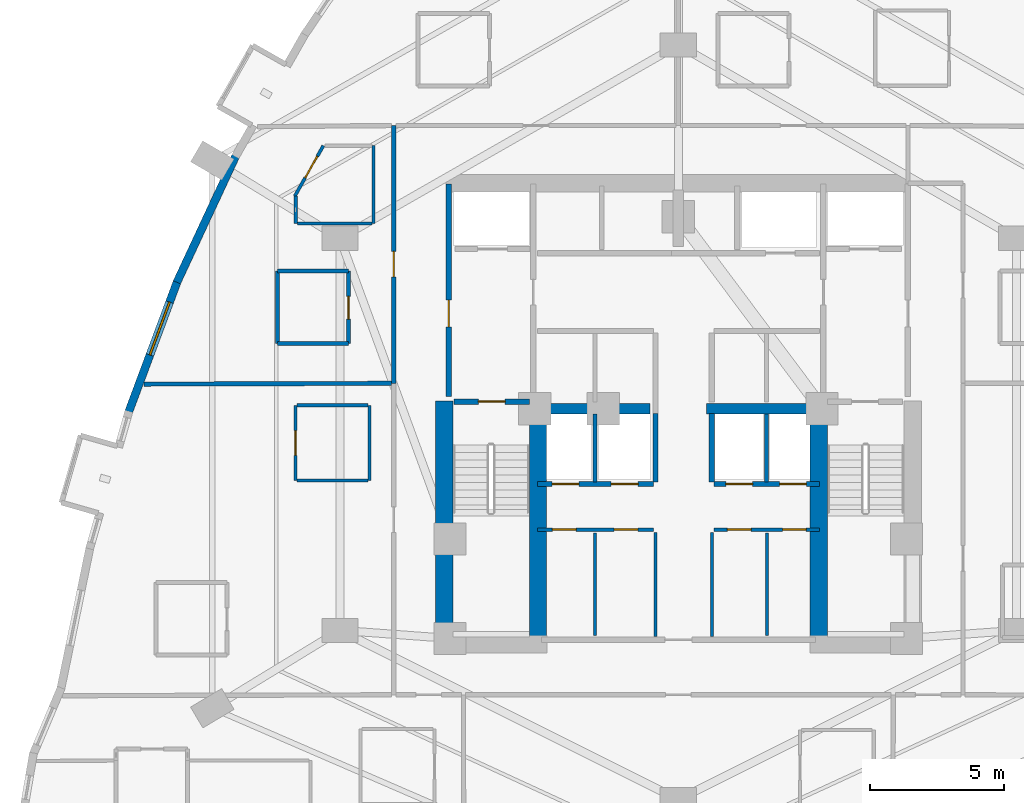
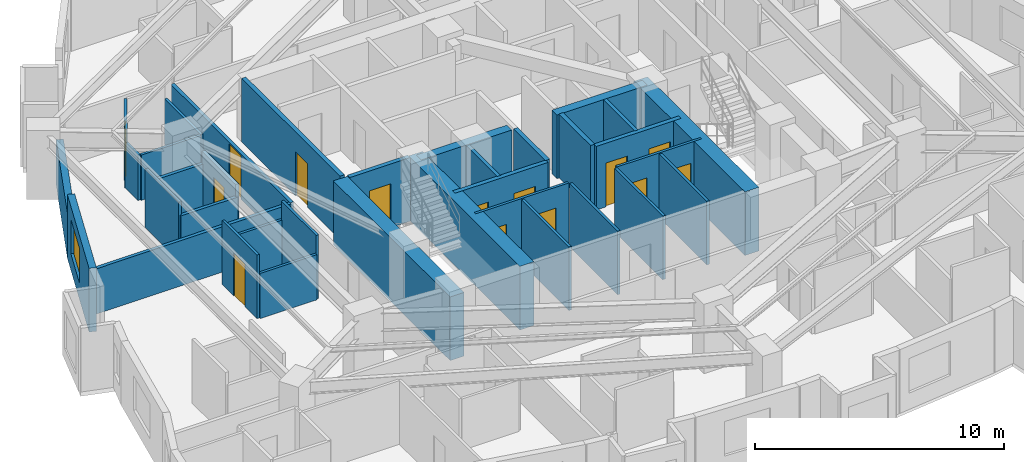
# One storey, part 6 of 11: 35 walls, 14 doors, 1 window, 15 openings.
"""IFC4 building model written with IfcOpenShell, lengths in metres."""

import ifcopenshell
import ifcopenshell.guid

model = None  # the IFC model being written
_history = None  # IfcOwnerHistory: only IFC2X3 demands one
_inside = {}  # id of a spatial element -> (the spatial element, [elements in it])
_under = {}  # id of a project, library or spatial element -> (it, [spatial elements below it])
_declared = {}  # id of a project -> (the project, [libraries it declares])
_typed = {}  # id of a type object -> (the type object, [elements of that type])
_made_of = {}  # id of a material, layer set ... -> (it, [elements and type objects made of it])


def new_model(schema):
    """Start an empty IFC model of exactly this schema.

    Asked for "IFC4X3", IfcOpenShell would pick the latest addendum, in which some entities
    have other attributes; the version numbers below select the first issue.
    IFC2X3 requires an IfcOwnerHistory on every rooted entity: one is made here for all.
    """
    global model, _history
    if schema == "IFC4X3":
        model = ifcopenshell.file(schema_version=(4, 3, 0, 0))
    else:
        model = ifcopenshell.file(schema=schema)
    _inside.clear()
    _under.clear()
    _declared.clear()
    _typed.clear()
    _made_of.clear()
    _history = None
    if model.schema == "IFC2X3":
        org = make("IfcOrganization", Name="unknown")
        user = make(
            "IfcPersonAndOrganization",
            ThePerson=make("IfcPerson", FamilyName="unknown"),
            TheOrganization=org,
        )
        app = make(
            "IfcApplication",
            ApplicationDeveloper=org,
            Version="unknown",
            ApplicationFullName="unknown",
            ApplicationIdentifier="unknown",
        )
        _history = make(
            "IfcOwnerHistory",
            OwningUser=user,
            OwningApplication=app,
            ChangeAction="ADDED",
            CreationDate=0,
        )
    return model


def make(cls, **values):
    """One entity of the class cls with the attributes given. An attribute that is None is left unset."""
    return model.create_entity(
        cls, **{name: value for name, value in values.items() if value is not None}
    )


def rooted(cls, **values):
    """An entity with a GlobalId (a new one), such as an element, a storey or a relation."""
    return make(cls, GlobalId=ifcopenshell.guid.new(), OwnerHistory=_history, **values)


def si_unit(unit_type, name, prefix=None):
    """IfcSIUnit, for example si_unit("LENGTHUNIT", "METRE", prefix="MILLI")."""
    return make("IfcSIUnit", UnitType=unit_type, Prefix=prefix, Name=name)


def assignment(units):
    """IfcUnitAssignment: the units of a project."""
    return None if units is None else make("IfcUnitAssignment", Units=units)


def point(xyz):
    """IfcCartesianPoint."""
    return None if xyz is None else make("IfcCartesianPoint", Coordinates=xyz)


def direction(xyz):
    """IfcDirection."""
    return None if xyz is None else make("IfcDirection", DirectionRatios=xyz)


def frame(location, z_axis=None, x_axis=None):
    """IfcAxis2Placement3D, a coordinate frame: its origin and axes. An axis left out is left unset."""
    return make(
        "IfcAxis2Placement3D",
        Location=point(location),
        Axis=direction(z_axis),
        RefDirection=direction(x_axis),
    )


def frame_2d(location, x_axis=None):
    """IfcAxis2Placement2D, a coordinate frame in the plane: its origin and x axis."""
    return make(
        "IfcAxis2Placement2D", Location=point(location), RefDirection=direction(x_axis)
    )


def origin():
    """The frame at (0, 0, 0) with its axes left unset."""
    return frame((0.0, 0.0, 0.0))


def place(relative_to, where):
    """IfcLocalPlacement: puts the frame where relative to a parent placement (None: the world)."""
    return make(
        "IfcLocalPlacement", PlacementRelTo=relative_to, RelativePlacement=where
    )


def context(
    kind, dimensions, precision=None, world=None, true_north=None, identifier=None
):
    """IfcGeometricRepresentationContext, for example the 3D "Model" context."""
    return make(
        "IfcGeometricRepresentationContext",
        ContextIdentifier=identifier,
        ContextType=kind,
        CoordinateSpaceDimension=dimensions,
        Precision=precision,
        WorldCoordinateSystem=world,
        TrueNorth=true_north,
    )


def subcontext(parent, identifier, kind, view, scale=None):
    """IfcGeometricRepresentationSubContext, for example "Body" below "Model"."""
    return make(
        "IfcGeometricRepresentationSubContext",
        ContextIdentifier=identifier,
        ContextType=kind,
        ParentContext=parent,
        TargetScale=scale,
        TargetView=view,
    )


def project(units=None, contexts=None):
    """IfcProject with its units and contexts."""
    return rooted(
        "IfcProject",
        Name="project",
        RepresentationContexts=contexts,
        UnitsInContext=assignment(units),
    )


def spatial(cls, under=None, at=None, **own):
    """A site, building, storey or space (cls), placed at a placement, below another one or the project."""
    s = rooted(cls, ObjectPlacement=at, **own)
    if under is not None:
        _under.setdefault(under.id(), (under, []))[1].append(s)
    return s


def profile(cls, at=None, kind="AREA", **sizes):
    """A parametric profile (cls). Its sizes go by their IFC names, for example OverallWidth=200.0."""
    return make(cls, ProfileType=kind, Position=at, **sizes)


def rectangle(**sizes):
    """IfcRectangleProfileDef."""
    return profile("IfcRectangleProfileDef", **sizes)


def extrude(swept, where, along, depth):
    """IfcExtrudedAreaSolid: the profile swept, set in the frame where, extruded along a direction by depth."""
    return make(
        "IfcExtrudedAreaSolid",
        SweptArea=swept,
        Position=where,
        ExtrudedDirection=direction(along),
        Depth=depth,
    )


def shape(context_of_items, identifier, shape_type, items):
    """IfcShapeRepresentation: the items that make up one representation, for example the "Body"."""
    return make(
        "IfcShapeRepresentation",
        ContextOfItems=context_of_items,
        RepresentationIdentifier=identifier,
        RepresentationType=shape_type,
        Items=items,
    )


def material(Name=None, Category=None):
    """IfcMaterial."""
    return make("IfcMaterial", Name=Name, Category=Category)


def layer(
    of_material, thickness, ventilated=None, Name=None, Category=None, Priority=None
):
    """IfcMaterialLayer: one layer of a wall or slab, of a material (None: an air gap)."""
    return make(
        "IfcMaterialLayer",
        Material=of_material,
        LayerThickness=thickness,
        IsVentilated=ventilated,
        Name=Name,
        Category=Category,
        Priority=Priority,
    )


def layer_set(layers, Name=None):
    """IfcMaterialLayerSet."""
    return make("IfcMaterialLayerSet", MaterialLayers=layers, LayerSetName=Name)


def made_of(thing, what):
    """Note that an element or type object is made of a material, layer set ...; save() writes the relation."""
    if what is not None:
        _made_of.setdefault(what.id(), (what, []))[1].append(thing)
    return thing


def type_object(cls, material=None, **own):
    """A type object (cls), such as IfcWallType, which elements share."""
    return made_of(rooted(cls, **own), material)


def element(
    cls,
    number,
    at=None,
    inside=None,
    cuts=None,
    type_object=None,
    material=None,
    context=None,
    identifier="Body",
    shape_type=None,
    held_by="IfcProductDefinitionShape",
    body=None,
    shapes=None,
    **own,
):
    """One element of the class cls, such as IfcWall. Its Tag is "e" and its number.

    at: its placement. inside: the storey or other place that contains it. cuts: it is an
    opening in that element (IfcRelVoidsElement). A single representation is given by context,
    identifier, shape_type and body (its items); several are given by shapes. held_by: the class
    of the entity that holds the representations. save() writes the other relations.
    """
    e = rooted(cls, Tag="e%d" % number, ObjectPlacement=at, **own)
    if body is not None:
        shapes = [shape(context, identifier, shape_type, body)]
    if shapes is not None:
        e.Representation = make(held_by, Representations=shapes)
    if inside is not None:
        _inside.setdefault(inside.id(), (inside, []))[1].append(e)
    if cuts is not None:
        rooted(
            "IfcRelVoidsElement", RelatingBuildingElement=cuts, RelatedOpeningElement=e
        )
    if type_object is not None:
        _typed.setdefault(type_object.id(), (type_object, []))[1].append(e)
    return made_of(e, material)


def fill(opening, filler):
    """IfcRelFillsElement: the door or window that sits in an opening."""
    return rooted(
        "IfcRelFillsElement",
        RelatingOpeningElement=opening,
        RelatedBuildingElement=filler,
    )


def aggregate(whole, parts):
    """IfcRelAggregates: a whole, such as a stair, and the parts it consists of."""
    return rooted("IfcRelAggregates", RelatingObject=whole, RelatedObjects=parts)


def save(model, path):
    """Write the relations noted so far, then the file.

    IfcRelAggregates (storeys below a building ...), IfcRelContainedInSpatialStructure (elements
    in a storey), IfcRelDefinesByType, IfcRelAssociatesMaterial and IfcRelDeclares: one each for
    every whole, place, type object, material and project.
    """
    for whole, parts in _under.values():
        aggregate(whole, parts)
    for where, things in _inside.values():
        rooted(
            "IfcRelContainedInSpatialStructure",
            RelatedElements=things,
            RelatingStructure=where,
        )
    for kind, things in _typed.values():
        rooted("IfcRelDefinesByType", RelatedObjects=things, RelatingType=kind)
    for what, things in _made_of.values():
        rooted("IfcRelAssociatesMaterial", RelatedObjects=things, RelatingMaterial=what)
    for by, libraries in _declared.values():
        rooted("IfcRelDeclares", RelatingContext=by, RelatedDefinitions=libraries)
    model.write(path)


model = new_model("IFC4")

# Units and contexts
model_context = context("Model", 3, precision=1e-05, world=origin(), true_north=direction((0.0, 1.0)))
body_context = subcontext(model_context, "Body", "Model", "MODEL_VIEW")
ifc_project = project(units=[si_unit("LENGTHUNIT", "METRE"), si_unit("AREAUNIT", "SQUARE_METRE"), si_unit("VOLUMEUNIT", "CUBIC_METRE"), si_unit("PLANEANGLEUNIT", "RADIAN"), si_unit("MASSUNIT", "GRAM", prefix="KILO")], contexts=[model_context])

# Site, building, storey
site_placement = place(None, origin())
site = spatial("IfcSite", under=ifc_project, at=site_placement, CompositionType="ELEMENT")
building_placement = place(site_placement, origin())
building = spatial("IfcBuilding", under=site, at=building_placement, Name="Miruveldt Soraemaru", CompositionType="ELEMENT")
storey_placement = place(building_placement, frame((0.0, 0.0, 66.60009765625)))
storey = spatial("IfcBuildingStorey", under=building, at=storey_placement, Name="L18", CompositionType="ELEMENT", Elevation=66.60009765625)

# Walls
ifc_material_1 = material(Name="Concrete C70/85 (70 MPa)", Category="concrete")
ifc_layer_1 = layer(ifc_material_1, 0.5, Name="Concrete C70/85 (70 MPa)", Category="concrete")
ifc_layer_set_1 = layer_set([ifc_layer_1], Name="Concrete C70/85 (70 MPa)")
wall_type_1 = type_object("IfcWallType", Name="WALL-BW-500", PredefinedType="SHEAR", material=ifc_layer_set_1)
for number, where, z_axis, x_axis, name in (
    (1, (38.75, 44.050048828125, 0.0), (0.0, 0.0, 1.0), (1.0, 0.0, 0.0), "L18 Core Buttress Shear Wall BW"),
    (2, (45.050048828125, 44.050048828125, 0.0), (0.0, 0.0, 1.0), (1.0, 0.0, 0.0), "L18 Core Buttress Shear Wall BE"),
):
    element("IfcWall", number, at=place(storey_placement, frame(where, z_axis=z_axis, x_axis=x_axis)), inside=storey, type_object=wall_type_1, Name=name, PredefinedType="SHEAR", context=body_context, shape_type="SweptSolid", body=[
        extrude(rectangle(XDim=4.199951171875, YDim=0.39990234375, at=frame_2d((2.10009765625, 0.0))), origin(), (0.0, 0.0, 1.0), 3.125),
    ])
ifc_material_2 = material(Name="Concrete C80/95 (80 MPa)", Category="concrete")
ifc_layer_2 = layer(ifc_material_2, 0.64990234375, Name="Concrete C80/95 (80 MPa)", Category="concrete")
ifc_layer_set_2 = layer_set([ifc_layer_2], Name="Concrete C80/95 (80 MPa)")
wall_type_2 = type_object("IfcWallType", Name="WALL-CW-650", PredefinedType="SHEAR", material=ifc_layer_set_2)
wall_1_placement = place(storey_placement, frame((35.27490234375, 34.949951171875, 0.0), z_axis=(0.0, 0.0, 1.0), x_axis=(0.0, 1.0, 0.0)))
element("IfcWall", 3, at=wall_1_placement, inside=storey, type_object=wall_type_2, Name="L18 Central Core Shear Wall W1", PredefinedType="SHEAR", context=body_context, shape_type="SweptSolid", body=[
    extrude(rectangle(XDim=9.400146484375, YDim=0.64990234375, at=frame_2d((4.7001953125, 0.0))), origin(), (0.0, 0.0, 1.0), 3.125),
])
for number, where, z_axis, x_axis, name in (
    (4, (38.77490234375, 35.39990234375, 0.0), (0.0, 0.0, 1.0), (0.0, 1.0, 0.0), "L18 Central Core Shear Wall SW-INT"),
    (5, (49.22509765625, 35.39990234375, 0.0), (0.0, 0.0, 1.0), (0.0, 1.0, 0.0), "L18 Central Core Shear Wall SE-INT"),
):
    element("IfcWall", number, at=place(storey_placement, frame(where, z_axis=z_axis, x_axis=x_axis)), inside=storey, type_object=wall_type_2, Name=name, PredefinedType="SHEAR", context=body_context, shape_type="SweptSolid", body=[
        extrude(rectangle(XDim=8.9501953125, YDim=0.64990234375, at=frame_2d((4.47509765625, 0.0))), origin(), (0.0, 0.0, 1.0), 3.125),
    ])
ifc_material_3 = material(Name="Precast concrete C45/55 (45 MPa)", Category="concrete")
ifc_layer_3 = layer(ifc_material_3, 0.300048828125, Name="Precast concrete C45/55 (45 MPa)", Category="concrete")
ifc_layer_set_3 = layer_set([ifc_layer_3], Name="Precast concrete C45/55 (45 MPa)")
wall_type_3 = type_object("IfcWallType", Name="WALL-EXT-PC300", PredefinedType="SOLIDWALL", material=ifc_layer_set_3)
wall_2_placement = place(storey_placement, frame((27.534912109375, 53.50341796875, 0.0), z_axis=(0.0, 0.0, 1.0), x_axis=(-0.422302745221, -0.906454847954, 0.0)))
element("IfcWall", 6, at=wall_2_placement, inside=storey, type_object=wall_type_3, Name="L18 Precast Concrete Facade Wall 11", PredefinedType="SOLIDWALL", context=body_context, shape_type="SweptSolid", body=[
    extrude(rectangle(XDim=5.230224609375, YDim=0.300048828125, at=frame_2d((2.615234375, 0.0))), origin(), (0.0, 0.0, 1.0), 2.212890625),
])

# Wall, opening, window
wall_3_placement = place(storey_placement, frame((25.35302734375, 48.826904296875, 0.0), z_axis=(0.0, 0.0, 1.0), x_axis=(-0.349017969633, -0.937116031702, 0.0)))
wall_3 = element("IfcWall", 7, at=wall_3_placement, inside=storey, type_object=wall_type_3, Name="L18 Precast Concrete Facade Wall 12", PredefinedType="SOLIDWALL", context=body_context, shape_type="SweptSolid", body=[
    extrude(rectangle(XDim=5.26318359375, YDim=0.300048828125, at=frame_2d((2.631591796875, 0.0))), origin(), (0.0, 0.0, 1.0), 3.125),
])
opening_1_placement = place(wall_3_placement, frame((0.85693359375, 0.0, 0.800048828125)))
opening_1 = element("IfcOpeningElement", 8, at=opening_1_placement, cuts=wall_3, Name="Opening WN-1", PredefinedType="OPENING", context=body_context, shape_type="SweptSolid", body=[
    extrude(rectangle(XDim=2.10009765625, YDim=1.699951171875, at=frame_2d((1.050048828125, 0.85009765625))), frame((0.0, 0.16015625, 0.0), z_axis=(0.0, -1.0, 0.0), x_axis=(1.0, 0.0, 0.0)), (0.0, 0.0, 1.0), 0.320068359375),
])
ifc_material_4 = material(Name="Triple low-e insulated glazing", Category="glass")
window_type = type_object("IfcWindowType", Name="WIN-PUNCH-2100x1700", PartitioningType="SINGLE_PANEL", PredefinedType="WINDOW", material=ifc_material_4)
window_placement = place(opening_1_placement, origin())
window = element("IfcWindow", 9, at=window_placement, inside=storey, type_object=window_type, Name="L18 Punched Triple-Glazed Window 12.1", OverallHeight=1.699951171875, OverallWidth=2.10009765625, PartitioningType="SINGLE_PANEL", PredefinedType="WINDOW", context=body_context, shape_type="SweptSolid", body=[
    extrude(rectangle(XDim=2.10009765625, YDim=1.699951171875, at=frame_2d((1.050048828125, 0.85009765625))), frame((0.0, 0.030029296875, 0.0), z_axis=(0.0, -1.0, 0.0), x_axis=(1.0, 0.0, 0.0)), (0.0, 0.0, 1.0), 0.06005859375),
])
fill(opening_1, window)

# Wall, openings, doors
ifc_material_5 = material(Name="Gypsum plasterboard lining", Category="gypsum")
ifc_layer_4 = layer(ifc_material_5, 0.1201171875, Name="Gypsum plasterboard lining", Category="gypsum")
ifc_layer_set_4 = layer_set([ifc_layer_4], Name="Gypsum plasterboard lining")
wall_type_4 = type_object("IfcWallType", Name="WALL-INT-P120", PredefinedType="PARTITIONING", material=ifc_layer_set_4)
wall_4_placement = place(storey_placement, frame((38.75, 39.550048828125, 0.0), z_axis=(0.0, 0.0, 1.0), x_axis=(1.0, 0.0, 0.0)))
wall_4 = element("IfcWall", 10, at=wall_4_placement, inside=storey, type_object=wall_type_4, Name="L18 Core Compartment Wall CSW-N", PredefinedType="PARTITIONING", context=body_context, shape_type="SweptSolid", body=[
    extrude(rectangle(XDim=4.330078125, YDim=0.1201171875, at=frame_2d((2.1650390625, 0.0))), origin(), (0.0, 0.0, 1.0), 3.125),
])
opening_2_placement = place(wall_4_placement, frame((0.56005859375, 0.0, 0.0)))
opening_2 = element("IfcOpeningElement", 11, at=opening_2_placement, cuts=wall_4, Name="Opening D4", PredefinedType="OPENING", context=body_context, shape_type="SweptSolid", body=[
    extrude(rectangle(XDim=0.8798828125, YDim=2.10009765625, at=frame_2d((0.43994140625, 1.050048828125))), frame((0.0, 0.070068359375, 0.0), z_axis=(0.0, -1.0, 0.0), x_axis=(1.0, 0.0, 0.0)), (0.0, 0.0, 1.0), 0.14013671875),
])
opening_3_placement = place(wall_4_placement, frame((2.860107421875, 0.0, 0.0)))
opening_3 = element("IfcOpeningElement", 12, at=opening_3_placement, cuts=wall_4, Name="Opening D4", PredefinedType="OPENING", context=body_context, shape_type="SweptSolid", body=[
    extrude(rectangle(XDim=0.8798828125, YDim=2.10009765625, at=frame_2d((0.43994140625, 1.050048828125))), frame((0.0, 0.070068359375, 0.0), z_axis=(0.0, -1.0, 0.0), x_axis=(1.0, 0.0, 0.0)), (0.0, 0.0, 1.0), 0.14013671875),
])
ifc_material_6 = material(Name="Anodised aluminium EN AW-6063 T6", Category="aluminium")
door_type_1 = type_object("IfcDoorType", Name="DOOR-INT-880", OperationType="NOTDEFINED", PredefinedType="DOOR", material=ifc_material_6)
door_1_placement = place(opening_2_placement, origin())
door_1 = element("IfcDoor", 13, at=door_1_placement, inside=storey, type_object=door_type_1, Name="L18 Fire Door", OperationType="SINGLE_SWING_LEFT", OverallHeight=2.10009765625, OverallWidth=0.8798828125, PredefinedType="DOOR", context=body_context, shape_type="SweptSolid", body=[
    extrude(rectangle(XDim=0.8798828125, YDim=2.10009765625, at=frame_2d((0.43994140625, 1.050048828125))), frame((0.0, 0.02490234375, 0.0), z_axis=(0.0, -1.0, 0.0), x_axis=(1.0, 0.0, 0.0)), (0.0, 0.0, 1.0), 0.050048828125),
])
fill(opening_2, door_1)
door_2_placement = place(opening_3_placement, origin())
door_2 = element("IfcDoor", 14, at=door_2_placement, inside=storey, type_object=door_type_1, Name="L18 Fire Door", OperationType="SINGLE_SWING_LEFT", OverallHeight=2.10009765625, OverallWidth=0.8798828125, PredefinedType="DOOR", context=body_context, shape_type="SweptSolid", body=[
    extrude(rectangle(XDim=0.8798828125, YDim=2.10009765625, at=frame_2d((0.43994140625, 1.050048828125))), frame((0.0, 0.02490234375, 0.0), z_axis=(0.0, -1.0, 0.0), x_axis=(1.0, 0.0, 0.0)), (0.0, 0.0, 1.0), 0.050048828125),
])
fill(opening_3, door_2)

wall_5_placement = place(storey_placement, frame((45.320068359375, 39.550048828125, 0.0), z_axis=(0.0, 0.0, 1.0), x_axis=(1.0, 0.0, 0.0)))
wall_5 = element("IfcWall", 15, at=wall_5_placement, inside=storey, type_object=wall_type_4, Name="L18 Core Compartment Wall CSE-N", PredefinedType="PARTITIONING", context=body_context, shape_type="SweptSolid", body=[
    extrude(rectangle(XDim=3.929931640625, YDim=0.1201171875, at=frame_2d((1.96484375, 0.0))), origin(), (0.0, 0.0, 1.0), 3.125),
])
opening_4_placement = place(wall_5_placement, frame((0.510009765625, 0.0, 0.0)))
opening_4 = element("IfcOpeningElement", 16, at=opening_4_placement, cuts=wall_5, Name="Opening D4", PredefinedType="OPENING", context=body_context, shape_type="SweptSolid", body=[
    extrude(rectangle(XDim=0.8798828125, YDim=2.10009765625, at=frame_2d((0.43994140625, 1.050048828125))), frame((0.0, 0.070068359375, 0.0), z_axis=(0.0, -1.0, 0.0), x_axis=(1.0, 0.0, 0.0)), (0.0, 0.0, 1.0), 0.14013671875),
])
opening_5_placement = place(wall_5_placement, frame((2.56005859375, 0.0, 0.0)))
opening_5 = element("IfcOpeningElement", 17, at=opening_5_placement, cuts=wall_5, Name="Opening D4", PredefinedType="OPENING", context=body_context, shape_type="SweptSolid", body=[
    extrude(rectangle(XDim=0.8798828125, YDim=2.10009765625, at=frame_2d((0.43994140625, 1.050048828125))), frame((0.0, 0.070068359375, 0.0), z_axis=(0.0, -1.0, 0.0), x_axis=(1.0, 0.0, 0.0)), (0.0, 0.0, 1.0), 0.14013671875),
])
door_3_placement = place(opening_4_placement, origin())
door_3 = element("IfcDoor", 18, at=door_3_placement, inside=storey, type_object=door_type_1, Name="L18 Fire Door", OperationType="SINGLE_SWING_LEFT", OverallHeight=2.10009765625, OverallWidth=0.8798828125, PredefinedType="DOOR", context=body_context, shape_type="SweptSolid", body=[
    extrude(rectangle(XDim=0.8798828125, YDim=2.10009765625, at=frame_2d((0.43994140625, 1.050048828125))), frame((0.0, 0.02490234375, 0.0), z_axis=(0.0, -1.0, 0.0), x_axis=(1.0, 0.0, 0.0)), (0.0, 0.0, 1.0), 0.050048828125),
])
fill(opening_4, door_3)
door_4_placement = place(opening_5_placement, origin())
door_4 = element("IfcDoor", 19, at=door_4_placement, inside=storey, type_object=door_type_1, Name="L18 Fire Door", OperationType="SINGLE_SWING_LEFT", OverallHeight=2.10009765625, OverallWidth=0.8798828125, PredefinedType="DOOR", context=body_context, shape_type="SweptSolid", body=[
    extrude(rectangle(XDim=0.8798828125, YDim=2.10009765625, at=frame_2d((0.43994140625, 1.050048828125))), frame((0.0, 0.02490234375, 0.0), z_axis=(0.0, -1.0, 0.0), x_axis=(1.0, 0.0, 0.0)), (0.0, 0.0, 1.0), 0.050048828125),
])
fill(opening_5, door_4)

# Wall, opening, door
wall_6_placement = place(storey_placement, frame((29.74609375, 44.179931640625, 0.0), z_axis=(0.0, 0.0, 1.0), x_axis=(0.0, -1.0, 0.0)))
wall_6 = element("IfcWall", 20, at=wall_6_placement, inside=storey, type_object=wall_type_4, Name="L18 Partition Wall 58", PredefinedType="PARTITIONING", context=body_context, shape_type="SweptSolid", body=[
    extrude(rectangle(XDim=2.800048828125, YDim=0.1201171875, at=frame_2d((1.39990234375, 0.0))), origin(), (0.0, 0.0, 1.0), 3.125),
])
opening_6_placement = place(wall_6_placement, frame((0.93994140625, 0.0, 0.0)))
opening_6 = element("IfcOpeningElement", 21, at=opening_6_placement, cuts=wall_6, Name="Opening D3A", PredefinedType="OPENING", context=body_context, shape_type="SweptSolid", body=[
    extrude(rectangle(XDim=0.919921875, YDim=2.10009765625, at=frame_2d((0.4599609375, 1.050048828125))), frame((0.0, 0.070068359375, 0.0), z_axis=(0.0, -1.0, 0.0), x_axis=(1.0, 0.0, 0.0)), (0.0, 0.0, 1.0), 0.14013671875),
])
door_type_2 = type_object("IfcDoorType", Name="DOOR-INT-920", OperationType="NOTDEFINED", PredefinedType="DOOR", material=ifc_material_6)
door_5_placement = place(opening_6_placement, origin())
door_5 = element("IfcDoor", 22, at=door_5_placement, inside=storey, type_object=door_type_2, Name="L18 Unit CL04 KIT Door", OperationType="SINGLE_SWING_RIGHT", OverallHeight=2.10009765625, OverallWidth=0.919921875, PredefinedType="DOOR", context=body_context, shape_type="SweptSolid", body=[
    extrude(rectangle(XDim=0.919921875, YDim=2.10009765625, at=frame_2d((0.4599609375, 1.050048828125))), frame((0.0, 0.02490234375, 0.0), z_axis=(0.0, -1.0, 0.0), x_axis=(1.0, 0.0, 0.0)), (0.0, 0.0, 1.0), 0.050048828125),
])
fill(opening_6, door_5)

wall_7_placement = place(storey_placement, frame((29.71533203125, 51.969970703125, 0.0), z_axis=(0.0, 0.0, 1.0), x_axis=(0.493106630174, 0.869968879489, 0.0)))
wall_7 = element("IfcWall", 23, at=wall_7_placement, inside=storey, type_object=wall_type_4, Name="L18 Partition Wall 48", PredefinedType="PARTITIONING", context=body_context, shape_type="SweptSolid", body=[
    extrude(rectangle(XDim=2.1611328125, YDim=0.1201171875, at=frame_2d((1.08056640625, 0.0))), origin(), (0.0, 0.0, 1.0), 2.86279296875),
])
opening_7_placement = place(wall_7_placement, frame((0.785888671875, 0.0, 0.0)))
opening_7 = element("IfcOpeningElement", 24, at=opening_7_placement, cuts=wall_7, Name="Opening D3A", PredefinedType="OPENING", context=body_context, shape_type="SweptSolid", body=[
    extrude(rectangle(XDim=0.919921875, YDim=2.10009765625, at=frame_2d((0.4599609375, 1.050048828125))), frame((0.0, 0.070068359375, 0.0), z_axis=(0.0, -1.0, 0.0), x_axis=(1.0, 0.0, 0.0)), (0.0, 0.0, 1.0), 0.14013671875),
])
door_6_placement = place(opening_7_placement, origin())
door_6 = element("IfcDoor", 25, at=door_6_placement, inside=storey, type_object=door_type_2, Name="L18 Unit 1803 KIT Door", OperationType="SINGLE_SWING_LEFT", OverallHeight=2.10009765625, OverallWidth=0.919921875, PredefinedType="DOOR", context=body_context, shape_type="SweptSolid", body=[
    extrude(rectangle(XDim=0.919921875, YDim=2.10009765625, at=frame_2d((0.4599609375, 1.050048828125))), frame((0.0, 0.02490234375, 0.0), z_axis=(0.0, -1.0, 0.0), x_axis=(1.0, 0.0, 0.0)), (0.0, 0.0, 1.0), 0.050048828125),
])
fill(opening_7, door_6)

# Walls
for number, where, z_axis, x_axis, name in (
    (26, (43.14990234375, 35.580078125, 0.0), (0.0, 0.0, 1.0), (0.0, 1.0, 0.0), "L18 Core Compartment Wall SP-WS"),
    (27, (45.25, 35.580078125, 0.0), (0.0, 0.0, 1.0), (0.0, 1.0, 0.0), "L18 Core Compartment Wall SP-ES"),
):
    element("IfcWall", number, at=place(storey_placement, frame(where, z_axis=z_axis, x_axis=x_axis)), inside=storey, type_object=wall_type_4, Name=name, PredefinedType="PARTITIONING", context=body_context, shape_type="SweptSolid", body=[
        extrude(rectangle(XDim=3.869873046875, YDim=0.1201171875, at=frame_2d((1.93505859375, 0.0))), origin(), (0.0, 0.0, 1.0), 3.125),
    ])
for number, where, z_axis, x_axis, name in (
    (28, (40.89990234375, 35.60009765625, 0.0), (0.0, 0.0, 1.0), (0.0, 1.0, 0.0), "L18 Core Compartment Wall CW2-V"),
    (29, (47.300048828125, 35.60009765625, 0.0), (0.0, 0.0, 1.0), (0.0, 1.0, 0.0), "L18 Core Compartment Wall CE2-V"),
):
    element("IfcWall", number, at=place(storey_placement, frame(where, z_axis=z_axis, x_axis=x_axis)), inside=storey, type_object=wall_type_4, Name=name, PredefinedType="PARTITIONING", context=body_context, shape_type="SweptSolid", body=[
        extrude(rectangle(XDim=3.81982421875, YDim=0.1201171875, at=frame_2d((1.909912109375, 0.0))), origin(), (0.0, 0.0, 1.0), 3.125),
    ])
wall_8_placement = place(storey_placement, frame((32.64990234375, 53.85009765625, 0.0), z_axis=(0.0, 0.0, 1.0), x_axis=(0.0, -1.0, 0.0)))
element("IfcWall", 30, at=wall_8_placement, inside=storey, type_object=wall_type_4, Name="L18 Partition Wall 50", PredefinedType="PARTITIONING", context=body_context, shape_type="SweptSolid", body=[
    extrude(rectangle(XDim=2.900146484375, YDim=0.1201171875, at=frame_2d((1.4501953125, 0.0))), origin(), (0.0, 0.0, 1.0), 2.219970703125),
])
wall_9_placement = place(storey_placement, frame((32.49609375, 41.3798828125, 0.0), z_axis=(0.0, 0.0, 1.0), x_axis=(0.0, 1.0, 0.0)))
element("IfcWall", 31, at=wall_9_placement, inside=storey, type_object=wall_type_4, Name="L18 Partition Wall 56", PredefinedType="PARTITIONING", context=body_context, shape_type="SweptSolid", body=[
    extrude(rectangle(XDim=2.800048828125, YDim=0.1201171875, at=frame_2d((1.39990234375, 0.0))), origin(), (0.0, 0.0, 1.0), 3.125),
])
wall_10_placement = place(storey_placement, frame((32.590087890625, 50.949951171875, 0.0), z_axis=(0.0, 0.0, 1.0), x_axis=(-1.0, 0.0, 0.0)))
element("IfcWall", 32, at=wall_10_placement, inside=storey, type_object=wall_type_4, Name="L18 Partition Wall 46", PredefinedType="PARTITIONING", context=body_context, shape_type="SweptSolid", body=[
    extrude(rectangle(XDim=2.780029296875, YDim=0.1201171875, at=frame_2d((1.39013671875, 0.0))), origin(), (0.0, 0.0, 1.0), 2.219970703125),
])
for number, where, z_axis, x_axis, name in (
    (33, (32.43603515625, 44.179931640625, 0.0), (0.0, 0.0, 1.0), (-1.0, 0.0, 0.0), "L18 Partition Wall 57"),
    (34, (29.805908203125, 41.3798828125, 0.0), (0.0, 0.0, 1.0), (1.0, 0.0, 0.0), "L18 Partition Wall 59"),
):
    element("IfcWall", number, at=place(storey_placement, frame(where, z_axis=z_axis, x_axis=x_axis)), inside=storey, type_object=wall_type_4, Name=name, PredefinedType="PARTITIONING", context=body_context, shape_type="SweptSolid", body=[
        extrude(rectangle(XDim=2.630126953125, YDim=0.1201171875, at=frame_2d((1.31494140625, 0.0))), origin(), (0.0, 0.0, 1.0), 2.219970703125),
    ])
wall_11_placement = place(storey_placement, frame((29.75, 50.949951171875, 0.0), z_axis=(0.0, 0.0, 1.0), x_axis=(0.0, 1.0, 0.0)))
element("IfcWall", 35, at=wall_11_placement, inside=storey, type_object=wall_type_4, Name="L18 Partition Wall 47", PredefinedType="PARTITIONING", context=body_context, shape_type="SweptSolid", body=[
    extrude(rectangle(XDim=1.032958984375, YDim=0.1201171875, at=frame_2d((0.5166015625, 0.0))), origin(), (0.0, 0.0, 1.0), 2.219970703125),
])

# Wall, opening, door
ifc_layer_5 = layer(ifc_material_5, 0.14990234375, Name="Gypsum plasterboard lining", Category="gypsum")
ifc_layer_set_5 = layer_set([ifc_layer_5], Name="Gypsum plasterboard lining")
wall_type_5 = type_object("IfcWallType", Name="WALL-INT-PLUMB", PredefinedType="PLUMBINGWALL", material=ifc_layer_set_5)
wall_12_placement = place(storey_placement, frame((31.715087890625, 46.47998046875, 0.0), z_axis=(0.0, 0.0, 1.0), x_axis=(0.0, 1.0, 0.0)))
wall_12 = element("IfcWall", 36, at=wall_12_placement, inside=storey, type_object=wall_type_5, Name="L18 Partition Wall 42", PredefinedType="PLUMBINGWALL", context=body_context, shape_type="SweptSolid", body=[
    extrude(rectangle(XDim=2.699951171875, YDim=0.14990234375, at=frame_2d((1.35009765625, 0.0))), origin(), (0.0, 0.0, 1.0), 2.81298828125),
])
opening_8_placement = place(wall_12_placement, frame((0.909912109375, 0.0, 0.0)))
opening_8 = element("IfcOpeningElement", 37, at=opening_8_placement, cuts=wall_12, Name="Opening FD3", PredefinedType="OPENING", context=body_context, shape_type="SweptSolid", body=[
    extrude(rectangle(XDim=0.85009765625, YDim=2.10009765625, at=frame_2d((0.425048828125, 1.050048828125))), frame((0.0, 0.0849609375, 0.0), z_axis=(0.0, -1.0, 0.0), x_axis=(1.0, 0.0, 0.0)), (0.0, 0.0, 1.0), 0.169921875),
])
door_type_3 = type_object("IfcDoorType", Name="DOOR-FD3-850", OperationType="NOTDEFINED", PredefinedType="DOOR", material=ifc_material_6)
door_7_placement = place(opening_8_placement, origin())
door_7 = element("IfcDoor", 38, at=door_7_placement, inside=storey, type_object=door_type_3, Name="L18 Unit 1803 BTH Door", OperationType="SINGLE_SWING_RIGHT", OverallHeight=2.10009765625, OverallWidth=0.85009765625, PredefinedType="DOOR", context=body_context, shape_type="SweptSolid", body=[
    extrude(rectangle(XDim=0.85009765625, YDim=2.10009765625, at=frame_2d((0.425048828125, 1.050048828125))), frame((0.0, 0.02490234375, 0.0), z_axis=(0.0, -1.0, 0.0), x_axis=(1.0, 0.0, 0.0)), (0.0, 0.0, 1.0), 0.050048828125),
])
fill(opening_8, door_7)

# Walls
wall_13_placement = place(storey_placement, frame((29.06494140625, 49.179931640625, 0.0), z_axis=(0.0, 0.0, 1.0), x_axis=(0.0, -1.0, 0.0)))
element("IfcWall", 39, at=wall_13_placement, inside=storey, type_object=wall_type_5, Name="L18 Partition Wall 44", PredefinedType="PLUMBINGWALL", context=body_context, shape_type="SweptSolid", body=[
    extrude(rectangle(XDim=2.699951171875, YDim=0.14990234375, at=frame_2d((1.35009765625, 0.0))), origin(), (0.0, 0.0, 1.0), 2.86279296875),
])
for number, where, z_axis, x_axis, name in (
    (40, (31.715087890625, 49.179931640625, 0.0), (0.0, 0.0, 1.0), (-1.0, 0.0, 0.0), "L18 Partition Wall 43"),
    (41, (29.06494140625, 46.47998046875, 0.0), (0.0, 0.0, 1.0), (1.0, 0.0, 0.0), "L18 Partition Wall 45"),
):
    element("IfcWall", number, at=place(storey_placement, frame(where, z_axis=z_axis, x_axis=x_axis)), inside=storey, type_object=wall_type_5, Name=name, PredefinedType="PLUMBINGWALL", context=body_context, shape_type="SweptSolid", body=[
        extrude(rectangle(XDim=2.650146484375, YDim=0.14990234375, at=frame_2d((1.3251953125, 0.0))), origin(), (0.0, 0.0, 1.0), 2.219970703125),
    ])

# Wall, opening, door
ifc_material_7 = material(Name="Concrete C40/50 (40 MPa)", Category="concrete")
ifc_layer_6 = layer(ifc_material_7, 0.159912109375, Name="Concrete C40/50 (40 MPa)", Category="concrete")
ifc_layer_set_6 = layer_set([ifc_layer_6], Name="Concrete C40/50 (40 MPa)")
wall_type_6 = type_object("IfcWallType", Name="WALL-INT-RC160", PredefinedType="SOLIDWALL", material=ifc_layer_set_6)
wall_14_placement = place(storey_placement, frame((33.39990234375, 54.60009765625, 0.0), z_axis=(0.0, 0.0, 1.0), x_axis=(0.0, -1.0, 0.0)))
wall_14 = element("IfcWall", 42, at=wall_14_placement, inside=storey, type_object=wall_type_6, Name="L18 Partition Wall 3", PredefinedType="SOLIDWALL", context=body_context, shape_type="SweptSolid", body=[
    extrude(rectangle(XDim=9.60009765625, YDim=0.159912109375, at=frame_2d((4.800048828125, 0.0))), origin(), (0.0, 0.0, 1.0), 2.219970703125),
])
opening_9_placement = place(wall_14_placement, frame((4.68505859375, 0.0, 0.0)))
opening_9 = element("IfcOpeningElement", 43, at=opening_9_placement, cuts=wall_14, Name="Opening FD2", PredefinedType="OPENING", context=body_context, shape_type="SweptSolid", body=[
    extrude(rectangle(XDim=0.949951171875, YDim=2.14990234375, at=frame_2d((0.47509765625, 1.074951171875))), frame((0.0, 0.08984375, 0.0), z_axis=(0.0, -1.0, 0.0), x_axis=(1.0, 0.0, 0.0)), (0.0, 0.0, 1.0), 0.179931640625),
])
door_type_4 = type_object("IfcDoorType", Name="DOOR-FD2-950", OperationType="NOTDEFINED", PredefinedType="DOOR", material=ifc_material_6)
door_8_placement = place(opening_9_placement, origin())
door_8 = element("IfcDoor", 44, at=door_8_placement, inside=storey, type_object=door_type_4, Name="L18 Unit 1803 Entrance Fire Door", OperationType="SINGLE_SWING_LEFT", OverallHeight=2.14990234375, OverallWidth=0.949951171875, PredefinedType="DOOR", context=body_context, shape_type="SweptSolid", body=[
    extrude(rectangle(XDim=0.949951171875, YDim=2.14990234375, at=frame_2d((0.47509765625, 1.074951171875))), frame((0.0, 0.02490234375, 0.0), z_axis=(0.0, -1.0, 0.0), x_axis=(1.0, 0.0, 0.0)), (0.0, 0.0, 1.0), 0.050048828125),
])
fill(opening_9, door_8)

# Walls
wall_15_placement = place(storey_placement, frame((24.093017578125, 44.969970703125, 0.0), z_axis=(0.0, 0.0, 1.0), x_axis=(0.999994704206, 0.003254467604, 0.0)))
element("IfcWall", 45, at=wall_15_placement, inside=storey, type_object=wall_type_6, Name="L18 Partition Wall 51", PredefinedType="SOLIDWALL", context=body_context, shape_type="SweptSolid", body=[
    extrude(rectangle(XDim=9.22705078125, YDim=0.159912109375, at=frame_2d((4.613525390625, 0.0))), origin(), (0.0, 0.0, 1.0), 2.219970703125),
])
for number, where, z_axis, x_axis, name in (
    (46, (40.89990234375, 41.320068359375, 0.0), (0.0, 0.0, 1.0), (0.0, 1.0, 0.0), "L18 Core Compartment Wall PLL-DW"),
    (47, (47.280029296875, 41.320068359375, 0.0), (0.0, 0.0, 1.0), (0.0, 1.0, 0.0), "L18 Core Compartment Wall PLL-DE"),
):
    element("IfcWall", number, at=place(storey_placement, frame(where, z_axis=z_axis, x_axis=x_axis)), inside=storey, type_object=wall_type_6, Name=name, PredefinedType="SOLIDWALL", context=body_context, shape_type="SweptSolid", body=[
        extrude(rectangle(XDim=2.530029296875, YDim=0.159912109375, at=frame_2d((1.26513671875, 0.0))), origin(), (0.0, 0.0, 1.0), 3.125),
    ])

# Wall, opening, door
ifc_layer_7 = layer(ifc_material_7, 0.199951171875, Name="Concrete C40/50 (40 MPa)", Category="concrete")
ifc_layer_set_7 = layer_set([ifc_layer_7], Name="Concrete C40/50 (40 MPa)")
wall_type_7 = type_object("IfcWallType", Name="WALL-INT-RC200", PredefinedType="SOLIDWALL", material=ifc_layer_set_7)
wall_16_placement = place(storey_placement, frame((35.449951171875, 44.5, 0.0), z_axis=(0.0, 0.0, 1.0), x_axis=(0.0, 1.0, 0.0)))
wall_16 = element("IfcWall", 48, at=wall_16_placement, inside=storey, type_object=wall_type_7, Name="L18 Core Compartment Wall FFW-OUT", PredefinedType="SOLIDWALL", context=body_context, shape_type="SweptSolid", body=[
    extrude(rectangle(XDim=7.919921875, YDim=0.199951171875, at=frame_2d((3.9599609375, 0.0))), origin(), (0.0, 0.0, 1.0), 3.125),
])
opening_10_placement = place(wall_16_placement, frame((2.60009765625, 0.0, 0.0)))
opening_10 = element("IfcOpeningElement", 49, at=opening_10_placement, cuts=wall_16, Name="Opening FD1", PredefinedType="OPENING", context=body_context, shape_type="SweptSolid", body=[
    extrude(rectangle(XDim=1.0, YDim=2.14990234375, at=frame_2d((0.5, 1.074951171875))), frame((0.0, 0.10986328125, 0.0), z_axis=(0.0, -1.0, 0.0), x_axis=(1.0, 0.0, 0.0)), (0.0, 0.0, 1.0), 0.219970703125),
])
door_type_5 = type_object("IfcDoorType", Name="DOOR-FD1-1000", OperationType="NOTDEFINED", PredefinedType="DOOR", material=ifc_material_6)
door_9_placement = place(opening_10_placement, origin())
door_9 = element("IfcDoor", 50, at=door_9_placement, inside=storey, type_object=door_type_5, Name="L18 West Firefighting Lobby Exit Door", OperationType="SINGLE_SWING_LEFT", OverallHeight=2.14990234375, OverallWidth=1.0, PredefinedType="DOOR", context=body_context, shape_type="SweptSolid", body=[
    extrude(rectangle(XDim=1.0, YDim=2.14990234375, at=frame_2d((0.5, 1.074951171875))), frame((0.0, 0.02490234375, 0.0), z_axis=(0.0, -1.0, 0.0), x_axis=(1.0, 0.0, 0.0)), (0.0, 0.0, 1.0), 0.050048828125),
])
fill(opening_10, door_9)

# Wall, openings, doors
wall_17_placement = place(storey_placement, frame((38.75, 41.25, 0.0), z_axis=(0.0, 0.0, 1.0), x_axis=(1.0, 0.0, 0.0)))
wall_17 = element("IfcWall", 51, at=wall_17_placement, inside=storey, type_object=wall_type_7, Name="L18 Core Compartment Wall LBW-S", PredefinedType="SOLIDWALL", context=body_context, shape_type="SweptSolid", body=[
    extrude(rectangle(XDim=4.330078125, YDim=0.199951171875, at=frame_2d((2.1650390625, 0.0))), origin(), (0.0, 0.0, 1.0), 3.125),
])
opening_11_placement = place(wall_17_placement, frame((0.550048828125, 0.0, 0.0)))
opening_11 = element("IfcOpeningElement", 52, at=opening_11_placement, cuts=wall_17, Name="Opening LD1B", PredefinedType="OPENING", context=body_context, shape_type="SweptSolid", body=[
    extrude(rectangle(XDim=1.0, YDim=2.14990234375, at=frame_2d((0.5, 1.074951171875))), frame((0.0, 0.10986328125, 0.0), z_axis=(0.0, -1.0, 0.0), x_axis=(1.0, 0.0, 0.0)), (0.0, 0.0, 1.0), 0.219970703125),
])
opening_12_placement = place(wall_17_placement, frame((2.75, 0.0, 0.0)))
opening_12 = element("IfcOpeningElement", 53, at=opening_12_placement, cuts=wall_17, Name="Opening LD1B", PredefinedType="OPENING", context=body_context, shape_type="SweptSolid", body=[
    extrude(rectangle(XDim=1.0, YDim=2.14990234375, at=frame_2d((0.5, 1.074951171875))), frame((0.0, 0.10986328125, 0.0), z_axis=(0.0, -1.0, 0.0), x_axis=(1.0, 0.0, 0.0)), (0.0, 0.0, 1.0), 0.219970703125),
])
door_type_6 = type_object("IfcDoorType", Name="DOOR-LD1-1000", OperationType="SLIDING_TO_LEFT", PredefinedType="DOOR", material=ifc_material_6)
door_10_placement = place(opening_11_placement, frame((1.0, 0.0, 0.0), z_axis=(0.0, 0.0, 1.0), x_axis=(-1.0, 0.0, 0.0)))
door_10 = element("IfcDoor", 54, at=door_10_placement, inside=storey, type_object=door_type_6, Name="L18 PL-L1 Landing Door", OperationType="SLIDING_TO_LEFT", OverallHeight=2.14990234375, OverallWidth=1.0, PredefinedType="DOOR", context=body_context, shape_type="SweptSolid", body=[
    extrude(rectangle(XDim=1.0, YDim=2.14990234375, at=frame_2d((0.5, 1.074951171875))), frame((0.0, 0.02490234375, 0.0), z_axis=(0.0, -1.0, 0.0), x_axis=(1.0, 0.0, 0.0)), (0.0, 0.0, 1.0), 0.050048828125),
])
fill(opening_11, door_10)
door_11_placement = place(opening_12_placement, frame((1.0, 0.0, 0.0), z_axis=(0.0, 0.0, 1.0), x_axis=(-1.0, 0.0, 0.0)))
door_11 = element("IfcDoor", 55, at=door_11_placement, inside=storey, type_object=door_type_6, Name="L18 PL-L2 Landing Door", OperationType="SLIDING_TO_LEFT", OverallHeight=2.14990234375, OverallWidth=1.0, PredefinedType="DOOR", context=body_context, shape_type="SweptSolid", body=[
    extrude(rectangle(XDim=1.0, YDim=2.14990234375, at=frame_2d((0.5, 1.074951171875))), frame((0.0, 0.02490234375, 0.0), z_axis=(0.0, -1.0, 0.0), x_axis=(1.0, 0.0, 0.0)), (0.0, 0.0, 1.0), 0.050048828125),
])
fill(opening_12, door_11)

wall_18_placement = place(storey_placement, frame((45.320068359375, 41.25, 0.0), z_axis=(0.0, 0.0, 1.0), x_axis=(1.0, 0.0, 0.0)))
wall_18 = element("IfcWall", 56, at=wall_18_placement, inside=storey, type_object=wall_type_7, Name="L18 Core Compartment Wall LBE-S", PredefinedType="SOLIDWALL", context=body_context, shape_type="SweptSolid", body=[
    extrude(rectangle(XDim=3.929931640625, YDim=0.199951171875, at=frame_2d((1.96484375, 0.0))), origin(), (0.0, 0.0, 1.0), 3.125),
])
opening_13_placement = place(wall_18_placement, frame((0.449951171875, 0.0, 0.0)))
opening_13 = element("IfcOpeningElement", 57, at=opening_13_placement, cuts=wall_18, Name="Opening LD1B", PredefinedType="OPENING", context=body_context, shape_type="SweptSolid", body=[
    extrude(rectangle(XDim=1.0, YDim=2.14990234375, at=frame_2d((0.5, 1.074951171875))), frame((0.0, 0.10986328125, 0.0), z_axis=(0.0, -1.0, 0.0), x_axis=(1.0, 0.0, 0.0)), (0.0, 0.0, 1.0), 0.219970703125),
])
opening_14_placement = place(wall_18_placement, frame((2.449951171875, 0.0, 0.0)))
opening_14 = element("IfcOpeningElement", 58, at=opening_14_placement, cuts=wall_18, Name="Opening LD1B", PredefinedType="OPENING", context=body_context, shape_type="SweptSolid", body=[
    extrude(rectangle(XDim=1.0, YDim=2.14990234375, at=frame_2d((0.5, 1.074951171875))), frame((0.0, 0.10986328125, 0.0), z_axis=(0.0, -1.0, 0.0), x_axis=(1.0, 0.0, 0.0)), (0.0, 0.0, 1.0), 0.219970703125),
])
door_12_placement = place(opening_13_placement, frame((1.0, 0.0, 0.0), z_axis=(0.0, 0.0, 1.0), x_axis=(-1.0, 0.0, 0.0)))
door_12 = element("IfcDoor", 59, at=door_12_placement, inside=storey, type_object=door_type_6, Name="L18 PL-L3 Landing Door", OperationType="SLIDING_TO_LEFT", OverallHeight=2.14990234375, OverallWidth=1.0, PredefinedType="DOOR", context=body_context, shape_type="SweptSolid", body=[
    extrude(rectangle(XDim=1.0, YDim=2.14990234375, at=frame_2d((0.5, 1.074951171875))), frame((0.0, 0.02490234375, 0.0), z_axis=(0.0, -1.0, 0.0), x_axis=(1.0, 0.0, 0.0)), (0.0, 0.0, 1.0), 0.050048828125),
])
fill(opening_13, door_12)
door_13_placement = place(opening_14_placement, frame((1.0, 0.0, 0.0), z_axis=(0.0, 0.0, 1.0), x_axis=(-1.0, 0.0, 0.0)))
door_13 = element("IfcDoor", 60, at=door_13_placement, inside=storey, type_object=door_type_6, Name="L18 PL-L4 Landing Door", OperationType="SLIDING_TO_LEFT", OverallHeight=2.14990234375, OverallWidth=1.0, PredefinedType="DOOR", context=body_context, shape_type="SweptSolid", body=[
    extrude(rectangle(XDim=1.0, YDim=2.14990234375, at=frame_2d((0.5, 1.074951171875))), frame((0.0, 0.02490234375, 0.0), z_axis=(0.0, -1.0, 0.0), x_axis=(1.0, 0.0, 0.0)), (0.0, 0.0, 1.0), 0.050048828125),
])
fill(opening_14, door_13)

# Wall, opening, door
wall_19_placement = place(storey_placement, frame((35.64990234375, 44.320068359375, 0.0), z_axis=(0.0, 0.0, 1.0), x_axis=(1.0, 0.0, 0.0)))
wall_19 = element("IfcWall", 61, at=wall_19_placement, inside=storey, type_object=wall_type_7, Name="L18 Core Compartment Wall ST1-N", PredefinedType="SOLIDWALL", context=body_context, shape_type="SweptSolid", body=[
    extrude(rectangle(XDim=2.800048828125, YDim=0.199951171875, at=frame_2d((1.39990234375, 0.0))), origin(), (0.0, 0.0, 1.0), 3.125),
])
opening_15_placement = place(wall_19_placement, frame((0.89990234375, 0.0, 0.0)))
opening_15 = element("IfcOpeningElement", 62, at=opening_15_placement, cuts=wall_19, Name="Opening FD1", PredefinedType="OPENING", context=body_context, shape_type="SweptSolid", body=[
    extrude(rectangle(XDim=1.0, YDim=2.14990234375, at=frame_2d((0.5, 1.074951171875))), frame((0.0, 0.10986328125, 0.0), z_axis=(0.0, -1.0, 0.0), x_axis=(1.0, 0.0, 0.0)), (0.0, 0.0, 1.0), 0.219970703125),
])
door_14_placement = place(opening_15_placement, frame((1.0, 0.0, 0.0), z_axis=(0.0, 0.0, 1.0), x_axis=(-1.0, 0.0, 0.0)))
door_14 = element("IfcDoor", 63, at=door_14_placement, inside=storey, type_object=door_type_5, Name="L18 Stair ST-1 Fire Door", OperationType="SINGLE_SWING_LEFT", OverallHeight=2.14990234375, OverallWidth=1.0, PredefinedType="DOOR", context=body_context, shape_type="SweptSolid", body=[
    extrude(rectangle(XDim=1.0, YDim=2.14990234375, at=frame_2d((0.5, 1.074951171875))), frame((0.0, 0.02490234375, 0.0), z_axis=(0.0, -1.0, 0.0), x_axis=(1.0, 0.0, 0.0)), (0.0, 0.0, 1.0), 0.050048828125),
])
fill(opening_15, door_14)

# Walls
for number, where, z_axis, x_axis, name in (
    (64, (43.14990234375, 41.320068359375, 0.0), (0.0, 0.0, 1.0), (0.0, 1.0, 0.0), "L18 Core Compartment Wall SP-WC"),
    (65, (45.25, 41.320068359375, 0.0), (0.0, 0.0, 1.0), (0.0, 1.0, 0.0), "L18 Core Compartment Wall SP-EC"),
):
    element("IfcWall", number, at=place(storey_placement, frame(where, z_axis=z_axis, x_axis=x_axis)), inside=storey, type_object=wall_type_7, Name=name, PredefinedType="SOLIDWALL", context=body_context, shape_type="SweptSolid", body=[
        extrude(rectangle(XDim=2.559814453125, YDim=0.199951171875, at=frame_2d((1.27978515625, 0.0))), origin(), (0.0, 0.0, 1.0), 3.125),
    ])

save(model, "model.ifc")
